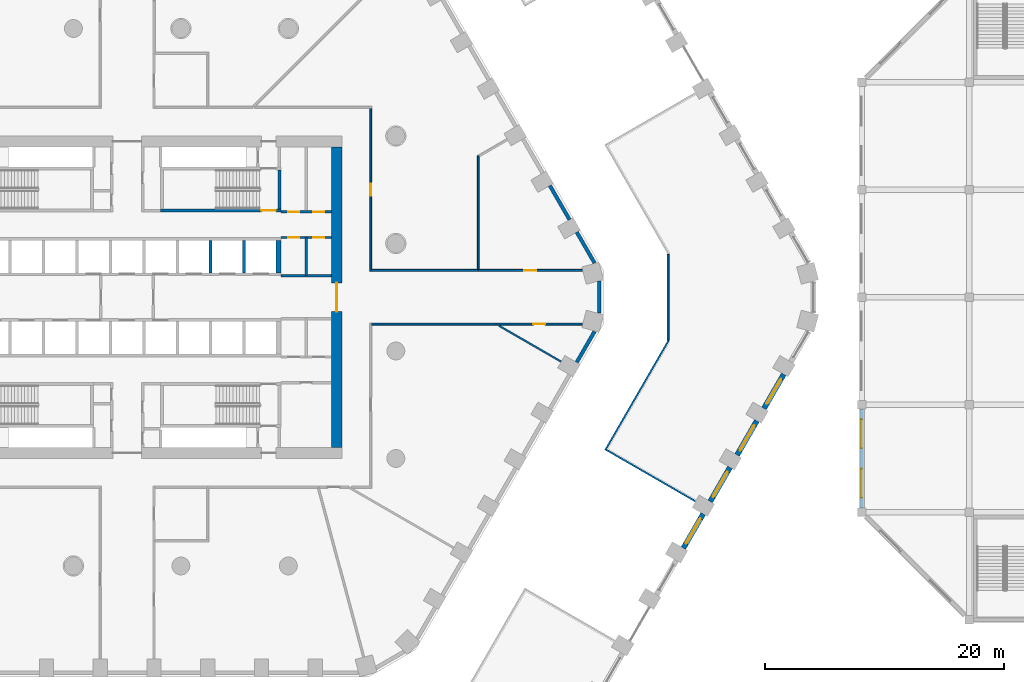
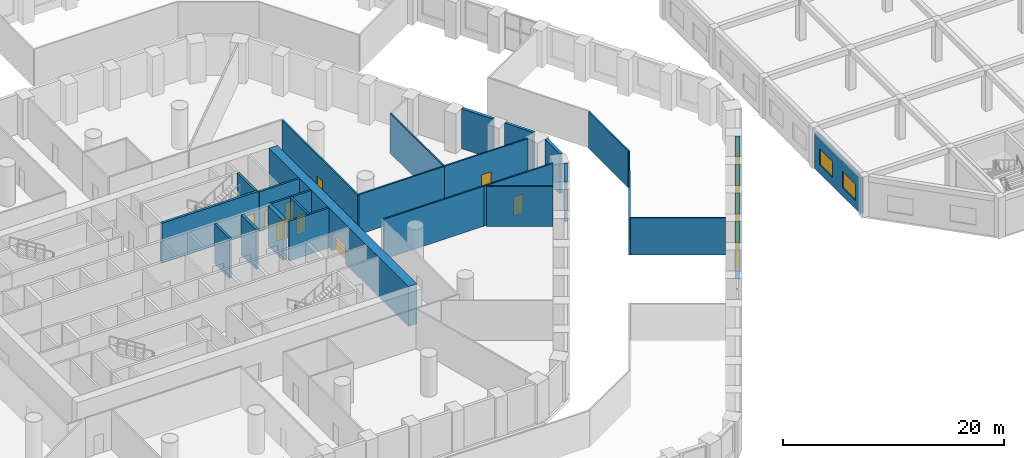
# One storey, part 22 of 42: 29 walls, 9 doors, 6 windows, 15 openings.
"""IFC4 building model written with IfcOpenShell, lengths in metres."""

from ifc_helpers import new_model, si_unit, direction, frame, frame_2d, origin, place, context, subcontext, project, spatial, polyline, rectangle, outline, extrude, material, layer, layer_set, type_object, element, fill, save


model = new_model("IFC4")

# Units and contexts
model_context = context("Model", 3, precision=1e-05, world=origin(), true_north=direction((0.0, 1.0)))
body_context = subcontext(model_context, "Body", "Model", "MODEL_VIEW")
ifc_project = project(units=[si_unit("LENGTHUNIT", "METRE"), si_unit("AREAUNIT", "SQUARE_METRE"), si_unit("VOLUMEUNIT", "CUBIC_METRE"), si_unit("PLANEANGLEUNIT", "RADIAN"), si_unit("MASSUNIT", "GRAM", prefix="KILO")], contexts=[model_context])

# Site, building, storey
site_placement = place(None, origin())
site = spatial("IfcSite", under=ifc_project, at=site_placement, CompositionType="ELEMENT")
building_placement = place(site_placement, origin())
building = spatial("IfcBuilding", under=site, at=building_placement, Name="Dhurran Vertical Campus", CompositionType="ELEMENT")
storey_placement = place(building_placement, frame((0.0, 0.0, 6.0)))
storey = spatial("IfcBuildingStorey", under=building, at=storey_placement, Name="L01", CompositionType="ELEMENT", Elevation=6.0)

# Wall, opening, window
ifc_material_1 = material(Name="Precast concrete C50/60", Category="concrete")
ifc_layer_1 = layer(ifc_material_1, 0.449951171875)
ifc_layer_set_1 = layer_set([ifc_layer_1], Name="Precast concrete C50/60")
wall_type_1 = type_object("IfcWallType", Name="Precast base wall 450", PredefinedType="SOLIDWALL", material=ifc_layer_set_1)
wall_1_placement = place(storey_placement, frame((46.579345703125, -21.0029296875, 0.0), z_axis=(0.0, 0.0, 1.0), x_axis=(0.499991515992, 0.866030301974, 0.0)))
wall_1 = element("IfcWall", 1, at=wall_1_placement, inside=storey, type_object=wall_type_1, Name="EW2 L01.20 ring", PredefinedType="SOLIDWALL", context=body_context, shape_type="SweptSolid", body=[
    extrude(rectangle(XDim=3.298828125, YDim=0.449951171875, at=frame_2d((1.6494140625, 0.0))), origin(), (0.0, 0.0, 1.0), 4.050048828125),
])
opening_1_placement = place(wall_1_placement, frame((0.449462890625, 0.0, 0.89990234375)))
opening_1 = element("IfcOpeningElement", 2, at=opening_1_placement, cuts=wall_1, Name="Opening WT2", PredefinedType="OPENING", context=body_context, shape_type="SweptSolid", body=[
    extrude(rectangle(XDim=2.39990234375, YDim=3.0, at=frame_2d((1.199951171875, 1.5))), frame((0.0, 0.23486328125, 0.0), z_axis=(0.0, -1.0, 0.0), x_axis=(1.0, 0.0, 0.0)), (0.0, 0.0, 1.0), 0.469970703125),
])
ifc_material_2 = material(Name="Aluminium frame with solar-control glass", Category="aluminium")
window_type_1 = type_object("IfcWindowType", Name="Podium window 2400 x 3000", PartitioningType="SINGLE_PANEL", PredefinedType="WINDOW", material=ifc_material_2)
window_1_placement = place(opening_1_placement, origin())
window_1 = element("IfcWindow", 3, at=window_1_placement, inside=storey, type_object=window_type_1, Name="WT2 L01.20 ring", OverallHeight=3.0, OverallWidth=2.39990234375, PartitioningType="SINGLE_PANEL", PredefinedType="WINDOW", context=body_context, shape_type="SweptSolid", body=[
    extrude(rectangle(XDim=2.39990234375, YDim=3.0, at=frame_2d((1.199951171875, 1.5))), frame((0.0, 0.030029296875, 0.0), z_axis=(0.0, -1.0, 0.0), x_axis=(1.0, 0.0, 0.0)), (0.0, 0.0, 1.0), 0.06005859375),
])
fill(opening_1, window_1)

wall_2_placement = place(storey_placement, frame((48.829345703125, -17.10595703125, 0.0), z_axis=(0.0, 0.0, 1.0), x_axis=(0.49995947208, 0.866048801325, 0.0)))
wall_2 = element("IfcWall", 4, at=wall_2_placement, inside=storey, type_object=wall_type_1, Name="EW2 L01.21 ring", PredefinedType="SOLIDWALL", context=body_context, shape_type="SweptSolid", body=[
    extrude(rectangle(XDim=3.299072265625, YDim=0.449951171875, at=frame_2d((1.6494140625, 0.0))), origin(), (0.0, 0.0, 1.0), 4.050048828125),
])
opening_2_placement = place(wall_2_placement, frame((0.449462890625, 0.0, 0.89990234375)))
opening_2 = element("IfcOpeningElement", 5, at=opening_2_placement, cuts=wall_2, Name="Opening WT2", PredefinedType="OPENING", context=body_context, shape_type="SweptSolid", body=[
    extrude(rectangle(XDim=2.39990234375, YDim=3.0, at=frame_2d((1.199951171875, 1.5))), frame((0.0, 0.23486328125, 0.0), z_axis=(0.0, -1.0, 0.0), x_axis=(1.0, 0.0, 0.0)), (0.0, 0.0, 1.0), 0.469970703125),
])
window_2_placement = place(opening_2_placement, origin())
window_2 = element("IfcWindow", 6, at=window_2_placement, inside=storey, type_object=window_type_1, Name="WT2 L01.21 ring", OverallHeight=3.0, OverallWidth=2.39990234375, PartitioningType="SINGLE_PANEL", PredefinedType="WINDOW", context=body_context, shape_type="SweptSolid", body=[
    extrude(rectangle(XDim=2.39990234375, YDim=3.0, at=frame_2d((1.199951171875, 1.5))), frame((0.0, 0.030029296875, 0.0), z_axis=(0.0, -1.0, 0.0), x_axis=(1.0, 0.0, 0.0)), (0.0, 0.0, 1.0), 0.06005859375),
])
fill(opening_2, window_2)

wall_3_placement = place(storey_placement, frame((51.079345703125, -13.208740234375, 0.0), z_axis=(0.0, 0.0, 1.0), x_axis=(0.499991515992, 0.866030301974, 0.0)))
wall_3 = element("IfcWall", 7, at=wall_3_placement, inside=storey, type_object=wall_type_1, Name="EW2 L01.22 ring", PredefinedType="SOLIDWALL", context=body_context, shape_type="SweptSolid", body=[
    extrude(rectangle(XDim=3.298828125, YDim=0.449951171875, at=frame_2d((1.6494140625, 0.0))), origin(), (0.0, 0.0, 1.0), 4.050048828125),
])
opening_3_placement = place(wall_3_placement, frame((0.449462890625, 0.0, 0.89990234375)))
opening_3 = element("IfcOpeningElement", 8, at=opening_3_placement, cuts=wall_3, Name="Opening WT2", PredefinedType="OPENING", context=body_context, shape_type="SweptSolid", body=[
    extrude(rectangle(XDim=2.39990234375, YDim=3.0, at=frame_2d((1.199951171875, 1.5))), frame((0.0, 0.23486328125, 0.0), z_axis=(0.0, -1.0, 0.0), x_axis=(1.0, 0.0, 0.0)), (0.0, 0.0, 1.0), 0.469970703125),
])
window_3_placement = place(opening_3_placement, origin())
window_3 = element("IfcWindow", 9, at=window_3_placement, inside=storey, type_object=window_type_1, Name="WT2 L01.22 ring", OverallHeight=3.0, OverallWidth=2.39990234375, PartitioningType="SINGLE_PANEL", PredefinedType="WINDOW", context=body_context, shape_type="SweptSolid", body=[
    extrude(rectangle(XDim=2.39990234375, YDim=3.0, at=frame_2d((1.199951171875, 1.5))), frame((0.0, 0.030029296875, 0.0), z_axis=(0.0, -1.0, 0.0), x_axis=(1.0, 0.0, 0.0)), (0.0, 0.0, 1.0), 0.06005859375),
])
fill(opening_3, window_3)

wall_4_placement = place(storey_placement, frame((53.329345703125, -9.311767578125, 0.0), z_axis=(0.0, 0.0, 1.0), x_axis=(0.49995947208, 0.866048801325, 0.0)))
wall_4 = element("IfcWall", 10, at=wall_4_placement, inside=storey, type_object=wall_type_1, Name="EW2 L01.23 ring", PredefinedType="SOLIDWALL", context=body_context, shape_type="SweptSolid", body=[
    extrude(rectangle(XDim=3.299072265625, YDim=0.449951171875, at=frame_2d((1.6494140625, 0.0))), origin(), (0.0, 0.0, 1.0), 4.050048828125),
])
opening_4_placement = place(wall_4_placement, frame((0.449462890625, 0.0, 0.89990234375)))
opening_4 = element("IfcOpeningElement", 11, at=opening_4_placement, cuts=wall_4, Name="Opening WT2", PredefinedType="OPENING", context=body_context, shape_type="SweptSolid", body=[
    extrude(rectangle(XDim=2.39990234375, YDim=3.0, at=frame_2d((1.199951171875, 1.5))), frame((0.0, 0.23486328125, 0.0), z_axis=(0.0, -1.0, 0.0), x_axis=(1.0, 0.0, 0.0)), (0.0, 0.0, 1.0), 0.469970703125),
])
window_4_placement = place(opening_4_placement, origin())
window_4 = element("IfcWindow", 12, at=window_4_placement, inside=storey, type_object=window_type_1, Name="WT2 L01.23 ring", OverallHeight=3.0, OverallWidth=2.39990234375, PartitioningType="SINGLE_PANEL", PredefinedType="WINDOW", context=body_context, shape_type="SweptSolid", body=[
    extrude(rectangle(XDim=2.39990234375, YDim=3.0, at=frame_2d((1.199951171875, 1.5))), frame((0.0, 0.030029296875, 0.0), z_axis=(0.0, -1.0, 0.0), x_axis=(1.0, 0.0, 0.0)), (0.0, 0.0, 1.0), 0.06005859375),
])
fill(opening_4, window_4)

# Walls
ifc_material_3 = material(Name="Precast concrete C50/60", Category="concrete")
ifc_layer_2 = layer(ifc_material_3, 0.300048828125)
ifc_layer_set_2 = layer_set([ifc_layer_2], Name="Precast concrete C50/60")
wall_type_2 = type_object("IfcWallType", Name="Precast interior wall 300", PredefinedType="SOLIDWALL", material=ifc_layer_set_2)
wall_5_placement = place(storey_placement, frame((37.644287109375, -5.4521484375, 0.0), z_axis=(0.0, 0.0, 1.0), x_axis=(0.49999586137, 0.866027793211, 0.0)))
element("IfcWall", 13, at=wall_5_placement, inside=storey, type_object=wall_type_2, Name="EW5 L01.16", PredefinedType="SOLIDWALL", context=body_context, shape_type="SweptSolid", body=[
    extrude(rectangle(XDim=2.98876953125, YDim=0.300048828125, at=frame_2d((1.494384765625, 0.0))), origin(), (0.0, 0.0, 1.0), 4.39990234375),
])
wall_6_placement = place(storey_placement, frame((39.547119140625, -1.33935546875, 0.0), z_axis=(0.0, 0.0, 1.0), x_axis=(0.0, 1.0, 0.0)))
element("IfcWall", 14, at=wall_6_placement, inside=storey, type_object=wall_type_2, Name="EW5 L01.17", PredefinedType="SOLIDWALL", context=body_context, shape_type="SweptSolid", body=[
    extrude(rectangle(XDim=2.6787109375, YDim=0.300048828125, at=frame_2d((1.33935546875, 0.0))), origin(), (0.0, 0.0, 1.0), 4.39990234375),
])
wall_7_placement = place(storey_placement, frame((39.138671875, 2.86376953125, 0.0), z_axis=(0.0, 0.0, 1.0), x_axis=(-0.49999586137, 0.866027793211, 0.0)))
element("IfcWall", 15, at=wall_7_placement, inside=storey, type_object=wall_type_2, Name="EW5 L01.18", PredefinedType="SOLIDWALL", context=body_context, shape_type="SweptSolid", body=[
    extrude(rectangle(XDim=2.98876953125, YDim=0.300048828125, at=frame_2d((1.494384765625, 0.0))), origin(), (0.0, 0.0, 1.0), 4.39990234375),
])
wall_8_placement = place(storey_placement, frame((37.043701171875, 6.4921875, 0.0), z_axis=(0.0, 0.0, 1.0), x_axis=(-0.499991515992, 0.866030301974, 0.0)))
element("IfcWall", 16, at=wall_8_placement, inside=storey, type_object=wall_type_2, Name="EW5 L01.19", PredefinedType="SOLIDWALL", context=body_context, shape_type="SweptSolid", body=[
    extrude(rectangle(XDim=3.298828125, YDim=0.300048828125, at=frame_2d((1.6494140625, 0.0))), origin(), (0.0, 0.0, 1.0), 4.39990234375),
])

# Wall, opening, door
ifc_material_4 = material(Name="Concrete C60/75", Category="concrete")
ifc_layer_3 = layer(ifc_material_4, 0.89990234375)
ifc_layer_set_3 = layer_set([ifc_layer_3], Name="Concrete C60/75")
wall_type_3 = type_object("IfcWallType", Name="co-CORE-WALL-C0-900", PredefinedType="SHEAR", material=ifc_layer_set_3)
wall_9_placement = place(storey_placement, frame((17.550048828125, -12.60009765625, 0.0), z_axis=(0.0, 0.0, 1.0), x_axis=(0.0, 1.0, 0.0)))
wall_9 = element("IfcWall", 17, at=wall_9_placement, inside=storey, type_object=wall_type_3, Name="Core wall E L01", PredefinedType="SHEAR", context=body_context, shape_type="SweptSolid", body=[
    extrude(rectangle(XDim=25.2001953125, YDim=0.89990234375, at=frame_2d((12.60009765625, 0.0))), origin(), (0.0, 0.0, 1.0), 4.39990234375),
])
opening_5_placement = place(wall_9_placement, frame((11.39990234375, 0.0, 0.0)))
opening_5 = element("IfcOpeningElement", 18, at=opening_5_placement, cuts=wall_9, Name="Opening CL2", PredefinedType="OPENING", context=body_context, shape_type="SweptSolid", body=[
    extrude(rectangle(XDim=2.39990234375, YDim=2.10009765625, at=frame_2d((1.199951171875, 1.050048828125))), frame((0.0, 0.4599609375, 0.0), z_axis=(0.0, -1.0, 0.0), x_axis=(1.0, 0.0, 0.0)), (0.0, 0.0, 1.0), 0.919921875),
])
ifc_material_5 = material(Name="Fire-rated glazed door set")
door_type_1 = type_object("IfcDoorType", Name="co-D-LOBBY 2400x2100", OperationType="DOUBLE_DOOR_DOUBLE_SWING", PredefinedType="DOOR", material=ifc_material_5)
door_1_placement = place(opening_5_placement, origin())
door_1 = element("IfcDoor", 19, at=door_1_placement, inside=storey, type_object=door_type_1, Name="Lift lobby door E L01", OperationType="DOUBLE_DOOR_DOUBLE_SWING", OverallHeight=2.10009765625, OverallWidth=2.39990234375, PredefinedType="DOOR", context=body_context, shape_type="SweptSolid", body=[
    extrude(rectangle(XDim=2.39990234375, YDim=2.10009765625, at=frame_2d((1.199951171875, 1.050048828125))), frame((0.0, 0.02490234375, 0.0), z_axis=(0.0, -1.0, 0.0), x_axis=(1.0, 0.0, 0.0)), (0.0, 0.0, 1.0), 0.050048828125),
])
fill(opening_5, door_1)

# Wall, openings, doors
ifc_material_6 = material(Name="Fire-rated masonry blockwork", Category="masonry")
ifc_layer_4 = layer(ifc_material_6, 0.199951171875)
ifc_layer_set_4 = layer_set([ifc_layer_4], Name="Fire-rated masonry blockwork")
wall_type_4 = type_object("IfcWallType", Name="co-FIRE-PARTITION-200", PredefinedType="PARTITIONING", material=ifc_layer_set_4)
wall_10_placement = place(storey_placement, frame((12.89990234375, 7.14990234375, 0.0), z_axis=(0.0, 0.0, 1.0), x_axis=(1.0, 0.0, 0.0)))
wall_10 = element("IfcWall", 20, at=wall_10_placement, inside=storey, type_object=wall_type_4, Name="Core partition en-NE-w L01", PredefinedType="PARTITIONING", context=body_context, shape_type="SweptSolid", body=[
    extrude(rectangle(XDim=4.2001953125, YDim=0.199951171875, at=frame_2d((2.10009765625, 0.0))), origin(), (0.0, 0.0, 1.0), 4.39990234375),
])
opening_6_placement = place(wall_10_placement, frame((0.60009765625, 0.0, 0.0)))
opening_6 = element("IfcOpeningElement", 21, at=opening_6_placement, cuts=wall_10, Name="Opening PD01-C15", PredefinedType="OPENING", context=body_context, shape_type="SweptSolid", body=[
    extrude(rectangle(XDim=0.89990234375, YDim=2.10009765625, at=frame_2d((0.449951171875, 1.050048828125))), frame((0.0, 0.10986328125, 0.0), z_axis=(0.0, -1.0, 0.0), x_axis=(1.0, 0.0, 0.0)), (0.0, 0.0, 1.0), 0.219970703125),
])
opening_7_placement = place(wall_10_placement, frame((2.699951171875, 0.0, 0.0)))
opening_7 = element("IfcOpeningElement", 22, at=opening_7_placement, cuts=wall_10, Name="Opening PD01-C16", PredefinedType="OPENING", context=body_context, shape_type="SweptSolid", body=[
    extrude(rectangle(XDim=0.89990234375, YDim=2.10009765625, at=frame_2d((0.449951171875, 1.050048828125))), frame((0.0, 0.10986328125, 0.0), z_axis=(0.0, -1.0, 0.0), x_axis=(1.0, 0.0, 0.0)), (0.0, 0.0, 1.0), 0.219970703125),
])
ifc_material_7 = material(Name="Fire-rated timber door set", Category="wood")
door_type_2 = type_object("IfcDoorType", Name="co-D-ROOM 900x2100", OperationType="SINGLE_SWING_LEFT", PredefinedType="DOOR", material=ifc_material_7)
door_2_placement = place(opening_6_placement, origin())
door_2 = element("IfcDoor", 23, at=door_2_placement, inside=storey, type_object=door_type_2, Name="Print room door L01", OperationType="SINGLE_SWING_LEFT", OverallHeight=2.10009765625, OverallWidth=0.89990234375, PredefinedType="DOOR", context=body_context, shape_type="SweptSolid", body=[
    extrude(rectangle(XDim=0.89990234375, YDim=2.10009765625, at=frame_2d((0.449951171875, 1.050048828125))), frame((0.0, 0.02490234375, 0.0), z_axis=(0.0, -1.0, 0.0), x_axis=(1.0, 0.0, 0.0)), (0.0, 0.0, 1.0), 0.050048828125),
])
fill(opening_6, door_2)
door_3_placement = place(opening_7_placement, origin())
door_3 = element("IfcDoor", 24, at=door_3_placement, inside=storey, type_object=door_type_2, Name="Pantry door L01", OperationType="SINGLE_SWING_LEFT", OverallHeight=2.10009765625, OverallWidth=0.89990234375, PredefinedType="DOOR", context=body_context, shape_type="SweptSolid", body=[
    extrude(rectangle(XDim=0.89990234375, YDim=2.10009765625, at=frame_2d((0.449951171875, 1.050048828125))), frame((0.0, 0.02490234375, 0.0), z_axis=(0.0, -1.0, 0.0), x_axis=(1.0, 0.0, 0.0)), (0.0, 0.0, 1.0), 0.050048828125),
])
fill(opening_7, door_3)

# Wall
wall_11_placement = place(storey_placement, frame((15.0, 1.800048828125, 0.0), z_axis=(0.0, 0.0, 1.0), x_axis=(0.0, 1.0, 0.0)))
element("IfcWall", 25, at=wall_11_placement, inside=storey, type_object=wall_type_4, Name="Core partition es-NE-cut0 L01", PredefinedType="PARTITIONING", context=body_context, shape_type="SweptSolid", body=[
    extrude(rectangle(XDim=3.199951171875, YDim=0.199951171875, at=frame_2d((1.60009765625, 0.0))), origin(), (0.0, 0.0, 1.0), 4.39990234375),
])

# Wall, openings, doors
wall_12_placement = place(storey_placement, frame((12.89990234375, 5.0, 0.0), z_axis=(0.0, 0.0, 1.0), x_axis=(1.0, 0.0, 0.0)))
wall_12 = element("IfcWall", 26, at=wall_12_placement, inside=storey, type_object=wall_type_4, Name="Core partition es-NE-w L01", PredefinedType="PARTITIONING", context=body_context, shape_type="SweptSolid", body=[
    extrude(rectangle(XDim=4.2001953125, YDim=0.199951171875, at=frame_2d((2.10009765625, 0.0))), origin(), (0.0, 0.0, 1.0), 4.39990234375),
])
opening_8_placement = place(wall_12_placement, frame((0.60009765625, 0.0, 0.0)))
opening_8 = element("IfcOpeningElement", 27, at=opening_8_placement, cuts=wall_12, Name="Opening PD01-C17", PredefinedType="OPENING", context=body_context, shape_type="SweptSolid", body=[
    extrude(rectangle(XDim=0.89990234375, YDim=2.10009765625, at=frame_2d((0.449951171875, 1.050048828125))), frame((0.0, 0.10986328125, 0.0), z_axis=(0.0, -1.0, 0.0), x_axis=(1.0, 0.0, 0.0)), (0.0, 0.0, 1.0), 0.219970703125),
])
opening_9_placement = place(wall_12_placement, frame((2.699951171875, 0.0, 0.0)))
opening_9 = element("IfcOpeningElement", 28, at=opening_9_placement, cuts=wall_12, Name="Opening PD01-C18", PredefinedType="OPENING", context=body_context, shape_type="SweptSolid", body=[
    extrude(rectangle(XDim=0.89990234375, YDim=2.10009765625, at=frame_2d((0.449951171875, 1.050048828125))), frame((0.0, 0.10986328125, 0.0), z_axis=(0.0, -1.0, 0.0), x_axis=(1.0, 0.0, 0.0)), (0.0, 0.0, 1.0), 0.219970703125),
])
door_4_placement = place(opening_8_placement, origin())
door_4 = element("IfcDoor", 29, at=door_4_placement, inside=storey, type_object=door_type_2, Name="Cleaner's store door L01", OperationType="SINGLE_SWING_LEFT", OverallHeight=2.10009765625, OverallWidth=0.89990234375, PredefinedType="DOOR", context=body_context, shape_type="SweptSolid", body=[
    extrude(rectangle(XDim=0.89990234375, YDim=2.10009765625, at=frame_2d((0.449951171875, 1.050048828125))), frame((0.0, 0.02490234375, 0.0), z_axis=(0.0, -1.0, 0.0), x_axis=(1.0, 0.0, 0.0)), (0.0, 0.0, 1.0), 0.050048828125),
])
fill(opening_8, door_4)
door_5_placement = place(opening_9_placement, origin())
door_5 = element("IfcDoor", 30, at=door_5_placement, inside=storey, type_object=door_type_2, Name="Electrical riser door L01", OperationType="SINGLE_SWING_LEFT", OverallHeight=2.10009765625, OverallWidth=0.89990234375, PredefinedType="DOOR", context=body_context, shape_type="SweptSolid", body=[
    extrude(rectangle(XDim=0.89990234375, YDim=2.10009765625, at=frame_2d((0.449951171875, 1.050048828125))), frame((0.0, 0.02490234375, 0.0), z_axis=(0.0, -1.0, 0.0), x_axis=(1.0, 0.0, 0.0)), (0.0, 0.0, 1.0), 0.050048828125),
])
fill(opening_9, door_5)

# Walls
wall_13_placement = place(storey_placement, frame((12.89990234375, 1.800048828125, 0.0), z_axis=(0.0, 0.0, 1.0), x_axis=(1.0, 0.0, 0.0)))
element("IfcWall", 31, at=wall_13_placement, inside=storey, type_object=wall_type_4, Name="Core partition es-NE-l L01", PredefinedType="PARTITIONING", context=body_context, shape_type="SweptSolid", body=[
    extrude(rectangle(XDim=4.2001953125, YDim=0.199951171875, at=frame_2d((2.10009765625, 0.0))), origin(), (0.0, 0.0, 1.0), 4.39990234375),
])
ifc_material_8 = material(Name="Concrete C50/60", Category="concrete")
ifc_layer_5 = layer(ifc_material_8, 0.25)
ifc_layer_set_5 = layer_set([ifc_layer_5], Name="Concrete C50/60")
wall_type_5 = type_object("IfcWallType", Name="co-SHAFT-MASS-250", PredefinedType="SHEAR", material=ifc_layer_set_5)
wall_14_placement = place(storey_placement, origin())
element("IfcWall", 32, at=wall_14_placement, inside=storey, type_object=wall_type_5, Name="Lift shaft wall N L01 9", PredefinedType="SHEAR", context=body_context, shape_type="SweptSolid", body=[
    extrude(outline(polyline([(6.875, 2.050048828125), (7.125, 2.050048828125), (7.125, 4.75), (6.875, 4.75), (6.875, 2.050048828125)])), origin(), (0.0, 0.0, 1.0), 4.39990234375),
])
wall_15_placement = place(storey_placement, origin())
element("IfcWall", 33, at=wall_15_placement, inside=storey, type_object=wall_type_5, Name="Lift shaft wall N L01 10", PredefinedType="SHEAR", context=body_context, shape_type="SweptSolid", body=[
    extrude(outline(polyline([(9.675048828125, 2.050048828125), (9.925048828125, 2.050048828125), (9.925048828125, 4.75), (9.675048828125, 4.75), (9.675048828125, 2.050048828125)])), origin(), (0.0, 0.0, 1.0), 4.39990234375),
])
wall_16_placement = place(storey_placement, origin())
element("IfcWall", 34, at=wall_16_placement, inside=storey, type_object=wall_type_5, Name="Lift shaft wall N L01 11", PredefinedType="SHEAR", context=body_context, shape_type="SweptSolid", body=[
    extrude(outline(polyline([(12.47509765625, 2.050048828125), (12.89990234375, 2.050048828125), (12.89990234375, 4.75), (12.47509765625, 4.75), (12.47509765625, 2.050048828125)])), origin(), (0.0, 0.0, 1.0), 4.39990234375),
])

# Wall, opening, door
ifc_material_9 = material(Name="Concrete C40/50", Category="concrete")
ifc_layer_6 = layer(ifc_material_9, 0.25)
ifc_layer_set_6 = layer_set([ifc_layer_6], Name="Concrete C40/50")
wall_type_6 = type_object("IfcWallType", Name="co-STAIR-WALL-250", PredefinedType="SHEAR", material=ifc_layer_set_6)
wall_17_placement = place(storey_placement, frame((2.800048828125, 7.27490234375, 0.0), z_axis=(0.0, 0.0, 1.0), x_axis=(1.0, 0.0, 0.0)))
wall_17 = element("IfcWall", 35, at=wall_17_placement, inside=storey, type_object=wall_type_6, Name="Stair ST2 enclosure wall L01", PredefinedType="SHEAR", context=body_context, shape_type="SweptSolid", body=[
    extrude(rectangle(XDim=10.099853515625, YDim=0.25, at=frame_2d((5.0498046875, 0.0))), origin(), (0.0, 0.0, 1.0), 4.39990234375),
])
opening_10_placement = place(wall_17_placement, frame((8.449951171875, 0.0, 0.0)))
opening_10 = element("IfcOpeningElement", 36, at=opening_10_placement, cuts=wall_17, Name="Opening SD2", PredefinedType="OPENING", context=body_context, shape_type="SweptSolid", body=[
    extrude(rectangle(XDim=1.199951171875, YDim=2.10009765625, at=frame_2d((0.60009765625, 1.050048828125))), frame((0.0, 0.135009765625, 0.0), z_axis=(0.0, -1.0, 0.0), x_axis=(1.0, 0.0, 0.0)), (0.0, 0.0, 1.0), 0.27001953125),
])
ifc_material_10 = material(Name="Fire-rated steel door set", Category="steel")
door_type_3 = type_object("IfcDoorType", Name="co-D-STAIR 1200x2100", OperationType="SINGLE_SWING_LEFT", PredefinedType="DOOR", material=ifc_material_10)
door_6_placement = place(opening_10_placement, origin())
door_6 = element("IfcDoor", 37, at=door_6_placement, inside=storey, type_object=door_type_3, Name="Stair ST2 door L01", OperationType="SINGLE_SWING_LEFT", OverallHeight=2.10009765625, OverallWidth=1.199951171875, PredefinedType="DOOR", context=body_context, shape_type="SweptSolid", body=[
    extrude(rectangle(XDim=1.199951171875, YDim=2.10009765625, at=frame_2d((0.60009765625, 1.050048828125))), frame((0.0, 0.02490234375, 0.0), z_axis=(0.0, -1.0, 0.0), x_axis=(1.0, 0.0, 0.0)), (0.0, 0.0, 1.0), 0.050048828125),
])
fill(opening_10, door_6)

# Walls
wall_18_placement = place(storey_placement, frame((12.77490234375, 7.39990234375, 0.0), z_axis=(0.0, 0.0, 1.0), x_axis=(0.0, 1.0, 0.0)))
element("IfcWall", 38, at=wall_18_placement, inside=storey, type_object=wall_type_6, Name="Stair ST2 enclosure wall L01", PredefinedType="SHEAR", context=body_context, shape_type="SweptSolid", body=[
    extrude(rectangle(XDim=3.25, YDim=0.25, at=frame_2d((1.625, 0.0))), origin(), (0.0, 0.0, 1.0), 4.39990234375),
])
ifc_material_11 = material(Name="Gypsum board corridor wall on steel studs", Category="steel")
ifc_layer_7 = layer(ifc_material_11, 0.14990234375)
ifc_layer_set_7 = layer_set([ifc_layer_7], Name="Gypsum board corridor wall on steel studs")
wall_type_7 = type_object("IfcWallType", Name="fl-CW-150 corridor wall", PredefinedType="PARTITIONING", material=ifc_layer_set_7)
wall_19_placement = place(storey_placement, frame((45.33447265625, -3.632080078125, 0.0), z_axis=(0.0, 0.0, 1.0), x_axis=(-0.499965106835, -0.866045548425, 0.0)))
element("IfcWall", 39, at=wall_19_placement, inside=storey, type_object=wall_type_7, Name="Partition 01-R78", PredefinedType="PARTITIONING", context=body_context, shape_type="SweptSolid", body=[
    extrude(rectangle(XDim=10.596435546875, YDim=0.14990234375, at=frame_2d((5.29833984375, 0.0))), origin(), (0.0, 0.0, 1.0), 4.050048828125),
])
wall_20_placement = place(storey_placement, frame((40.138916015625, -12.781494140625, 0.0), z_axis=(0.0, 0.0, 1.0), x_axis=(0.866022831428, -0.500004455426, 0.0)))
element("IfcWall", 40, at=wall_20_placement, inside=storey, type_object=wall_type_7, Name="Partition 01-R79", PredefinedType="PARTITIONING", context=body_context, shape_type="SweptSolid", body=[
    extrude(rectangle(XDim=8.59326171875, YDim=0.14990234375, at=frame_2d((4.296630859375, 0.0))), origin(), (0.0, 0.0, 1.0), 4.050048828125),
])
wall_21_placement = place(storey_placement, frame((45.297119140625, 3.596923828125, 0.0), z_axis=(0.0, 0.0, 1.0), x_axis=(0.0, -1.0, 0.0)))
element("IfcWall", 41, at=wall_21_placement, inside=storey, type_object=wall_type_7, Name="Partition 01-R82", PredefinedType="PARTITIONING", context=body_context, shape_type="SweptSolid", body=[
    extrude(rectangle(XDim=7.19384765625, YDim=0.14990234375, at=frame_2d((3.596923828125, 0.0))), origin(), (0.0, 0.0, 1.0), 4.050048828125),
])
wall_22_placement = place(storey_placement, frame((30.89697265625, -2.25, 0.0), z_axis=(0.0, 0.0, 1.0), x_axis=(-1.0, 0.0, 0.0)))
element("IfcWall", 42, at=wall_22_placement, inside=storey, type_object=wall_type_7, Name="Partition 01-41", PredefinedType="PARTITIONING", context=body_context, shape_type="SweptSolid", body=[
    extrude(rectangle(XDim=10.421875, YDim=0.14990234375, at=frame_2d((5.2109375, 0.0))), origin(), (0.0, 0.0, 1.0), 4.39990234375),
])

# Wall, opening, door
wall_23_placement = place(storey_placement, frame((20.39990234375, 2.175048828125, 0.0), z_axis=(0.0, 0.0, 1.0), x_axis=(0.0, 1.0, 0.0)))
wall_23 = element("IfcWall", 43, at=wall_23_placement, inside=storey, type_object=wall_type_7, Name="Partition 01-42", PredefinedType="PARTITIONING", context=body_context, shape_type="SweptSolid", body=[
    extrude(rectangle(XDim=13.64990234375, YDim=0.14990234375, at=frame_2d((6.824951171875, 0.0))), origin(), (0.0, 0.0, 1.0), 4.39990234375),
])
opening_11_placement = place(wall_23_placement, frame((6.324951171875, 0.0, 0.0)))
opening_11 = element("IfcOpeningElement", 44, at=opening_11_placement, cuts=wall_23, Name="Opening PD01.14", PredefinedType="OPENING", context=body_context, shape_type="SweptSolid", body=[
    extrude(rectangle(XDim=1.0, YDim=2.10009765625, at=frame_2d((0.5, 1.050048828125))), frame((0.0, 0.0849609375, 0.0), z_axis=(0.0, -1.0, 0.0), x_axis=(1.0, 0.0, 0.0)), (0.0, 0.0, 1.0), 0.169921875),
])
ifc_material_12 = material(Name="Solid-core timber door set, fire-rated", Category="wood")
door_type_4 = type_object("IfcDoorType", Name="fl-D-1000x2100", OperationType="SINGLE_SWING_LEFT", PredefinedType="DOOR", material=ifc_material_12)
door_7_placement = place(opening_11_placement, origin())
door_7 = element("IfcDoor", 45, at=door_7_placement, inside=storey, type_object=door_type_4, Name="Door 01.14", OperationType="SINGLE_SWING_RIGHT", OverallHeight=2.10009765625, OverallWidth=1.0, PredefinedType="DOOR", context=body_context, shape_type="SweptSolid", body=[
    extrude(rectangle(XDim=1.0, YDim=2.10009765625, at=frame_2d((0.5, 1.050048828125))), frame((0.0, 0.02490234375, 0.0), z_axis=(0.0, -1.0, 0.0), x_axis=(1.0, 0.0, 0.0)), (0.0, 0.0, 1.0), 0.050048828125),
])
fill(opening_11, door_7)

# Wall
wall_24_placement = place(storey_placement, frame((20.47509765625, 2.25, 0.0), z_axis=(0.0, 0.0, 1.0), x_axis=(1.0, 0.0, 0.0)))
element("IfcWall", 46, at=wall_24_placement, inside=storey, type_object=wall_type_7, Name="Partition 01-43", PredefinedType="PARTITIONING", context=body_context, shape_type="SweptSolid", body=[
    extrude(rectangle(XDim=8.9248046875, YDim=0.14990234375, at=frame_2d((4.46240234375, 0.0))), origin(), (0.0, 0.0, 1.0), 4.39990234375),
])

# Wall, opening, door
wall_25_placement = place(storey_placement, frame((29.39990234375, 2.25, 0.0), z_axis=(0.0, 0.0, 1.0), x_axis=(1.0, 0.0, 0.0)))
wall_25 = element("IfcWall", 47, at=wall_25_placement, inside=storey, type_object=wall_type_7, Name="Partition 01-45", PredefinedType="PARTITIONING", context=body_context, shape_type="SweptSolid", body=[
    extrude(rectangle(XDim=8.715576171875, YDim=0.14990234375, at=frame_2d((4.35791015625, 0.0))), origin(), (0.0, 0.0, 1.0), 4.39990234375),
])
opening_12_placement = place(wall_25_placement, frame((3.857666015625, 0.0, 0.0)))
opening_12 = element("IfcOpeningElement", 48, at=opening_12_placement, cuts=wall_25, Name="Opening PD01.16", PredefinedType="OPENING", context=body_context, shape_type="SweptSolid", body=[
    extrude(rectangle(XDim=1.0, YDim=2.10009765625, at=frame_2d((0.5, 1.050048828125))), frame((0.0, 0.0849609375, 0.0), z_axis=(0.0, -1.0, 0.0), x_axis=(1.0, 0.0, 0.0)), (0.0, 0.0, 1.0), 0.169921875),
])
door_8_placement = place(opening_12_placement, origin())
door_8 = element("IfcDoor", 49, at=door_8_placement, inside=storey, type_object=door_type_4, Name="Door 01.16", OperationType="SINGLE_SWING_RIGHT", OverallHeight=2.10009765625, OverallWidth=1.0, PredefinedType="DOOR", context=body_context, shape_type="SweptSolid", body=[
    extrude(rectangle(XDim=1.0, YDim=2.10009765625, at=frame_2d((0.5, 1.050048828125))), frame((0.0, 0.02490234375, 0.0), z_axis=(0.0, -1.0, 0.0), x_axis=(1.0, 0.0, 0.0)), (0.0, 0.0, 1.0), 0.050048828125),
])
fill(opening_12, door_8)

wall_26_placement = place(storey_placement, frame((38.115478515625, -2.25, 0.0), z_axis=(0.0, 0.0, 1.0), x_axis=(-1.0, 0.0, 0.0)))
wall_26 = element("IfcWall", 50, at=wall_26_placement, inside=storey, type_object=wall_type_7, Name="Partition 01-48", PredefinedType="PARTITIONING", context=body_context, shape_type="SweptSolid", body=[
    extrude(rectangle(XDim=7.218505859375, YDim=0.14990234375, at=frame_2d((3.609375, 0.0))), origin(), (0.0, 0.0, 1.0), 4.39990234375),
])
opening_13_placement = place(wall_26_placement, frame((3.109130859375, 0.0, 0.0)))
opening_13 = element("IfcOpeningElement", 51, at=opening_13_placement, cuts=wall_26, Name="Opening PD01.17", PredefinedType="OPENING", context=body_context, shape_type="SweptSolid", body=[
    extrude(rectangle(XDim=1.0, YDim=2.10009765625, at=frame_2d((0.5, 1.050048828125))), frame((0.0, 0.0849609375, 0.0), z_axis=(0.0, -1.0, 0.0), x_axis=(1.0, 0.0, 0.0)), (0.0, 0.0, 1.0), 0.169921875),
])
door_9_placement = place(opening_13_placement, origin())
door_9 = element("IfcDoor", 52, at=door_9_placement, inside=storey, type_object=door_type_4, Name="Door 01.17", OperationType="SINGLE_SWING_RIGHT", OverallHeight=2.10009765625, OverallWidth=1.0, PredefinedType="DOOR", context=body_context, shape_type="SweptSolid", body=[
    extrude(rectangle(XDim=1.0, YDim=2.10009765625, at=frame_2d((0.5, 1.050048828125))), frame((0.0, 0.02490234375, 0.0), z_axis=(0.0, -1.0, 0.0), x_axis=(1.0, 0.0, 0.0)), (0.0, 0.0, 1.0), 0.050048828125),
])
fill(opening_13, door_9)

# Walls
ifc_material_13 = material(Name="Gypsum board partition on steel studs", Category="steel")
ifc_layer_8 = layer(ifc_material_13, 0.14990234375)
ifc_layer_set_8 = layer_set([ifc_layer_8], Name="Gypsum board partition on steel studs")
wall_type_8 = type_object("IfcWallType", Name="fl-PW-150 fixed partition", PredefinedType="PARTITIONING", material=ifc_layer_set_8)
wall_27_placement = place(storey_placement, frame((29.39990234375, 11.85302734375, 0.0), z_axis=(0.0, 0.0, 1.0), x_axis=(0.0, -1.0, 0.0)))
element("IfcWall", 53, at=wall_27_placement, inside=storey, type_object=wall_type_8, Name="Partition 01-44", PredefinedType="PARTITIONING", context=body_context, shape_type="SweptSolid", body=[
    extrude(rectangle(XDim=9.528076171875, YDim=0.14990234375, at=frame_2d((4.76416015625, 0.0))), origin(), (0.0, 0.0, 1.0), 4.39990234375),
])
wall_28_placement = place(storey_placement, frame((31.13525390625, -2.387451171875, 0.0), z_axis=(0.0, 0.0, 1.0), x_axis=(0.866018198007, -0.500012480565, 0.0)))
element("IfcWall", 54, at=wall_28_placement, inside=storey, type_object=wall_type_8, Name="Partition 01-47", PredefinedType="PARTITIONING", context=body_context, shape_type="SweptSolid", body=[
    extrude(rectangle(XDim=5.999267578125, YDim=0.14990234375, at=frame_2d((2.99951171875, 0.0))), origin(), (0.0, 0.0, 1.0), 4.39990234375),
])

# Wall, openings, windows
ifc_material_14 = material(Name="Precast concrete C40/50", Category="concrete")
ifc_layer_9 = layer(ifc_material_14, 0.300048828125)
ifc_layer_set_9 = layer_set([ifc_layer_9], Name="Precast concrete C40/50")
wall_type_9 = type_object("IfcWallType", Name="hl-external wall precast 300", PredefinedType="SOLIDWALL", material=ifc_layer_set_9)
wall_29_placement = place(storey_placement, frame((61.5, -9.35009765625, 0.0), z_axis=(0.0, 0.0, 1.0), x_axis=(0.0, -1.0, 0.0)))
wall_29 = element("IfcWall", 55, at=wall_29_placement, inside=storey, type_object=wall_type_9, Name="Hall external wall L01-044", PredefinedType="SOLIDWALL", context=body_context, shape_type="SweptSolid", body=[
    extrude(rectangle(XDim=8.2998046875, YDim=0.300048828125, at=frame_2d((4.14990234375, 0.0))), origin(), (0.0, 0.0, 1.0), 3.89990234375),
])
opening_14_placement = place(wall_29_placement, frame((0.875, 0.0, 0.89990234375)))
opening_14 = element("IfcOpeningElement", 56, at=opening_14_placement, cuts=wall_29, Name="Opening HWN1", PredefinedType="OPENING", context=body_context, shape_type="SweptSolid", body=[
    extrude(rectangle(XDim=2.39990234375, YDim=1.800048828125, at=frame_2d((1.199951171875, 0.89990234375))), frame((0.0, 0.159912109375, 0.0), z_axis=(0.0, -1.0, 0.0), x_axis=(1.0, 0.0, 0.0)), (0.0, 0.0, 1.0), 0.320068359375),
])
opening_15_placement = place(wall_29_placement, frame((5.02490234375, 0.0, 0.89990234375)))
opening_15 = element("IfcOpeningElement", 57, at=opening_15_placement, cuts=wall_29, Name="Opening HWN1", PredefinedType="OPENING", context=body_context, shape_type="SweptSolid", body=[
    extrude(rectangle(XDim=2.39990234375, YDim=1.800048828125, at=frame_2d((1.199951171875, 0.89990234375))), frame((0.0, 0.159912109375, 0.0), z_axis=(0.0, -1.0, 0.0), x_axis=(1.0, 0.0, 0.0)), (0.0, 0.0, 1.0), 0.320068359375),
])
ifc_material_15 = material(Name="Aluminium", Category="aluminium")
window_type_2 = type_object("IfcWindowType", Name="hl-window 2400x1800", PartitioningType="SINGLE_PANEL", PredefinedType="WINDOW", material=ifc_material_15)
window_5_placement = place(opening_14_placement, origin())
window_5 = element("IfcWindow", 58, at=window_5_placement, inside=storey, type_object=window_type_2, Name="Hall window L01-031", OverallHeight=1.800048828125, OverallWidth=2.39990234375, PartitioningType="SINGLE_PANEL", PredefinedType="WINDOW", context=body_context, shape_type="SweptSolid", body=[
    extrude(rectangle(XDim=2.39990234375, YDim=1.800048828125, at=frame_2d((1.199951171875, 0.89990234375))), frame((0.0, 0.030029296875, 0.0), z_axis=(0.0, -1.0, 0.0), x_axis=(1.0, 0.0, 0.0)), (0.0, 0.0, 1.0), 0.06005859375),
])
fill(opening_14, window_5)
window_6_placement = place(opening_15_placement, origin())
window_6 = element("IfcWindow", 59, at=window_6_placement, inside=storey, type_object=window_type_2, Name="Hall window L01-032", OverallHeight=1.800048828125, OverallWidth=2.39990234375, PartitioningType="SINGLE_PANEL", PredefinedType="WINDOW", context=body_context, shape_type="SweptSolid", body=[
    extrude(rectangle(XDim=2.39990234375, YDim=1.800048828125, at=frame_2d((1.199951171875, 0.89990234375))), frame((0.0, 0.030029296875, 0.0), z_axis=(0.0, -1.0, 0.0), x_axis=(1.0, 0.0, 0.0)), (0.0, 0.0, 1.0), 0.06005859375),
])
fill(opening_15, window_6)

save(model, "model.ifc")
